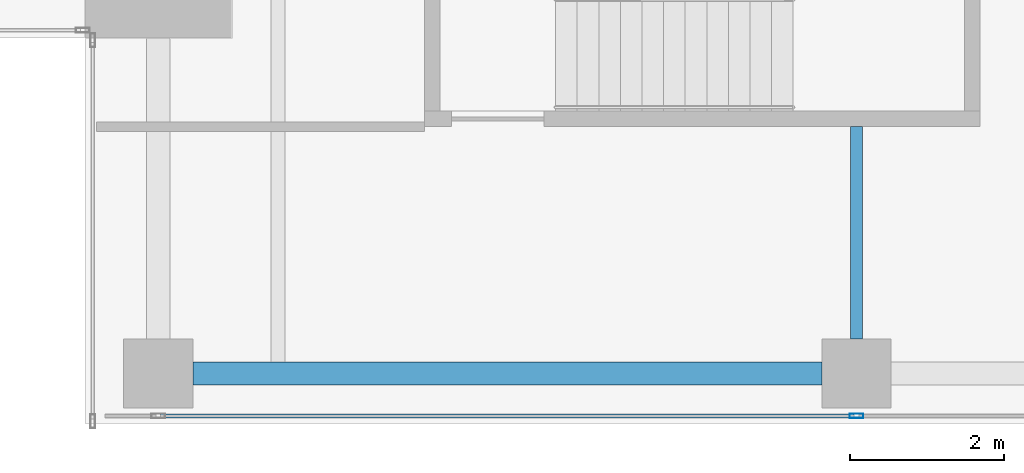
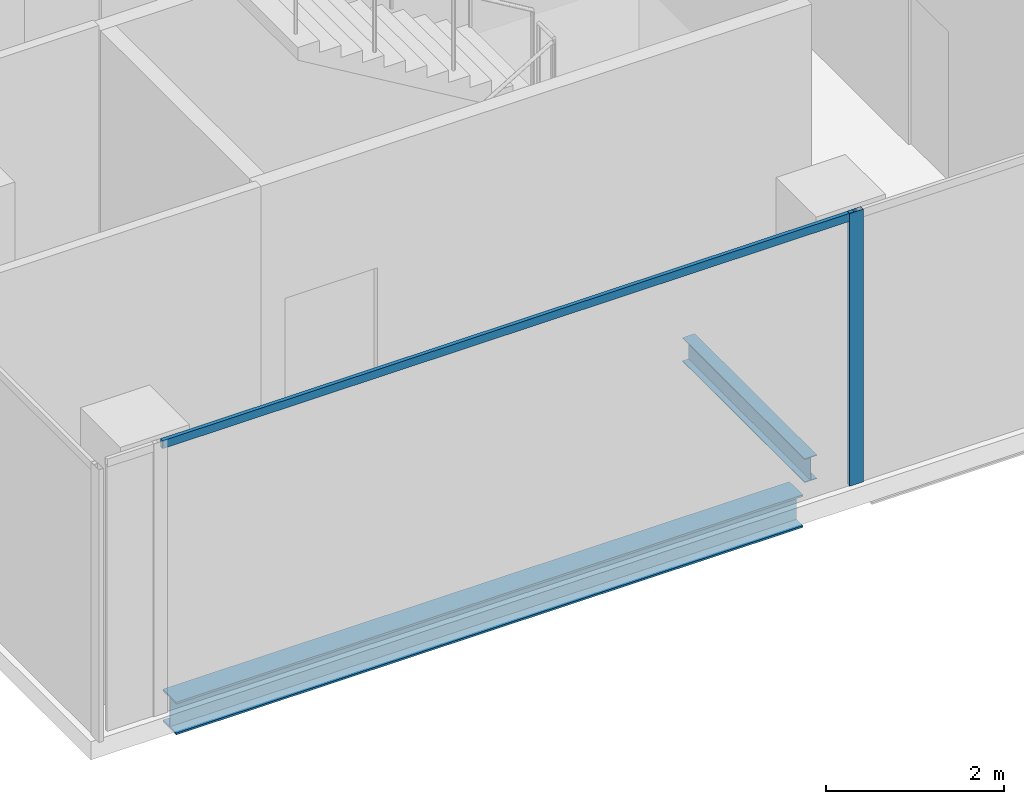
# One storey, part 3 of 35: 2 beams, 2 members, 1 element without a shape of its own.
"""IFC4 building model written with IfcOpenShell, lengths in metres."""

from ifc_helpers import new_model, si_unit, direction, frame, origin, origin_2d, place, context, subcontext, project, spatial, hollow_rectangle, i_section, extrude, source, transform, mapped, material, material_profile, profile_set, type_object, element, aggregate, save


model = new_model("IFC4")

# Units and contexts
model_context = context("Model", 3, precision=1e-05, world=origin(), true_north=direction((0.0, 1.0)))
body_context = subcontext(model_context, "Body", "Model", "MODEL_VIEW")
ifc_project = project(units=[si_unit("LENGTHUNIT", "METRE"), si_unit("AREAUNIT", "SQUARE_METRE"), si_unit("VOLUMEUNIT", "CUBIC_METRE"), si_unit("PLANEANGLEUNIT", "RADIAN"), si_unit("MASSUNIT", "GRAM", prefix="KILO")], contexts=[model_context])

# Site, building, storey
site_placement = place(None, origin())
site = spatial("IfcSite", under=ifc_project, at=site_placement, CompositionType="ELEMENT")
building_placement = place(site_placement, origin())
building = spatial("IfcBuilding", under=site, at=building_placement, Name="Khomas Fold Tower", CompositionType="ELEMENT")
storey_placement = place(building_placement, frame((0.0, 0.0, 262.199951171875)))
storey = spatial("IfcBuildingStorey", under=building, at=storey_placement, Name="L59", CompositionType="ELEMENT", Elevation=262.199951171875)

# Beams
ifc_material_1 = material(Name="Steel S355", Category="steel")
ifc_material_profile_1 = material_profile(ifc_material_1, i_section(OverallWidth=0.159912109375, OverallDepth=0.330078125, WebThickness=0.007568359375, FlangeThickness=0.011474609375, at=origin_2d()), Name="IPE 330")
ifc_profile_set_1 = profile_set([ifc_material_profile_1], Name="Steel S355")
beam_type_1 = type_object("IfcBeamType", Name="IPE 330 beam JB1", PredefinedType="BEAM", material=ifc_profile_set_1)
shared_shape_1 = source(origin(), body_context, "Body", "SweptSolid", [
    extrude(i_section(OverallWidth=0.159912109375, OverallDepth=0.330078125, WebThickness=0.007568359375, FlangeThickness=0.011474609375, at=origin_2d()), origin(), (0.0, 0.0, 1.0), 2.75),
])
beam_1_placement = place(storey_placement, frame((19.5, 5.60009765625, -0.4150390625), z_axis=(0.0, 1.0, 0.0), x_axis=(-1.0, 0.0, 0.0)))
element("IfcBeam", 1, at=beam_1_placement, inside=storey, type_object=beam_type_1, Name="JB1", PredefinedType="BEAM", context=body_context, shape_type="MappedRepresentation", body=[
    mapped(shared_shape_1, transform((0.0, 0.0, 0.0))),
])
ifc_material_2 = material(Name="Steel S355", Category="steel")
ifc_material_profile_2 = material_profile(ifc_material_2, i_section(OverallWidth=0.300048828125, OverallDepth=0.449951171875, WebThickness=0.013916015625, FlangeThickness=0.02587890625, at=origin_2d()), Name="HE 450 B")
ifc_profile_set_2 = profile_set([ifc_material_profile_2], Name="Steel S355")
beam_type_2 = type_object("IfcBeamType", Name="HE 450 B spandrel SB4", PredefinedType="SPANDREL", material=ifc_profile_set_2)
shared_shape_2 = source(origin(), body_context, "Body", "SweptSolid", [
    extrude(i_section(OverallWidth=0.300048828125, OverallDepth=0.449951171875, WebThickness=0.013916015625, FlangeThickness=0.02587890625, at=origin_2d()), origin(), (0.0, 0.0, 1.0), 8.150146484375),
])
beam_2_placement = place(storey_placement, frame((10.89990234375, 5.14990234375, -0.474853515625), z_axis=(1.0, 0.0, 0.0), x_axis=(0.0, 1.0, 0.0)))
element("IfcBeam", 2, at=beam_2_placement, inside=storey, type_object=beam_type_2, Name="SB4", PredefinedType="SPANDREL", context=body_context, shape_type="MappedRepresentation", body=[
    mapped(shared_shape_2, transform((0.0, 0.0, 0.0))),
])

# Curtain wall, members
ifc_material_3 = material(Name="Aluminium framed double glazing", Category="aluminium")
curtain_wall_type = type_object("IfcCurtainWallType", Name="SK-Unitised clear-glass wall, office floors CW2", PredefinedType="NOTDEFINED", material=ifc_material_3)
curtain_wall_placement = place(storey_placement, origin())
curtain_wall = element("IfcCurtainWall", 3, at=curtain_wall_placement, inside=storey, type_object=curtain_wall_type, Name="CW2 run L59 00-0", PredefinedType="NOTDEFINED")
ifc_material_4 = material(Name="Aluminium", Category="aluminium")
ifc_material_profile_3 = material_profile(ifc_material_4, hollow_rectangle(XDim=0.06005859375, YDim=0.179931640625, WallThickness=0.00390625, at=origin_2d()), Name="SK-Unitised clear-glass wall, office floors mullion CW2-M")
ifc_profile_set_3 = profile_set([ifc_material_profile_3], Name="Aluminium")
member_type_1 = type_object("IfcMemberType", Name="SK-Unitised clear-glass wall, office floors mullion CW2-M", PredefinedType="MULLION", material=ifc_profile_set_3)
shared_shape_3 = source(origin(), body_context, "Body", "SweptSolid", [
    extrude(hollow_rectangle(XDim=0.06005859375, YDim=0.179931640625, WallThickness=0.00390625, at=origin_2d()), origin(), (0.0, 0.0, 1.0), 3.75),
])
member_1_placement = place(storey_placement, frame((19.5, 4.60009765625, 0.0), z_axis=(0.0, 0.0, 1.0), x_axis=(0.0, 1.0, 0.0)))
member_1 = element("IfcMember", 4, at=member_1_placement, type_object=member_type_1, Name="CW2 mullion 3", PredefinedType="MULLION", context=body_context, shape_type="MappedRepresentation", body=[
    mapped(shared_shape_3, transform((0.0, 0.0, 0.0))),
])
ifc_material_5 = material(Name="Aluminium", Category="aluminium")
ifc_material_profile_4 = material_profile(ifc_material_5, hollow_rectangle(XDim=0.050048828125, YDim=0.110107421875, WallThickness=0.00390625, at=origin_2d()), Name="SK-Unitised clear-glass wall, office floors transom CW2-T")
ifc_profile_set_4 = profile_set([ifc_material_profile_4], Name="Aluminium")
member_type_2 = type_object("IfcMemberType", Name="SK-Unitised clear-glass wall, office floors transom CW2-T", PredefinedType="USERDEFINED", material=ifc_profile_set_4)
shared_shape_4 = source(origin(), body_context, "Body", "SweptSolid", [
    extrude(hollow_rectangle(XDim=0.050048828125, YDim=0.110107421875, WallThickness=0.00390625, at=origin_2d()), origin(), (0.0, 0.0, 1.0), 8.989990234375),
])
member_2_placement = place(storey_placement, frame((10.47998046875, 4.60009765625, 3.695068359375), z_axis=(1.0, 0.0, 0.0), x_axis=(0.0, 1.0, 0.0)))
member_2 = element("IfcMember", 5, at=member_2_placement, type_object=member_type_2, Name="CW2 transom 2", ObjectType="TRANSOM", PredefinedType="USERDEFINED", context=body_context, shape_type="MappedRepresentation", body=[
    mapped(shared_shape_4, transform((0.0, 0.0, 0.0))),
])
aggregate(curtain_wall, [member_1, member_2])

save(model, "model.ifc")
